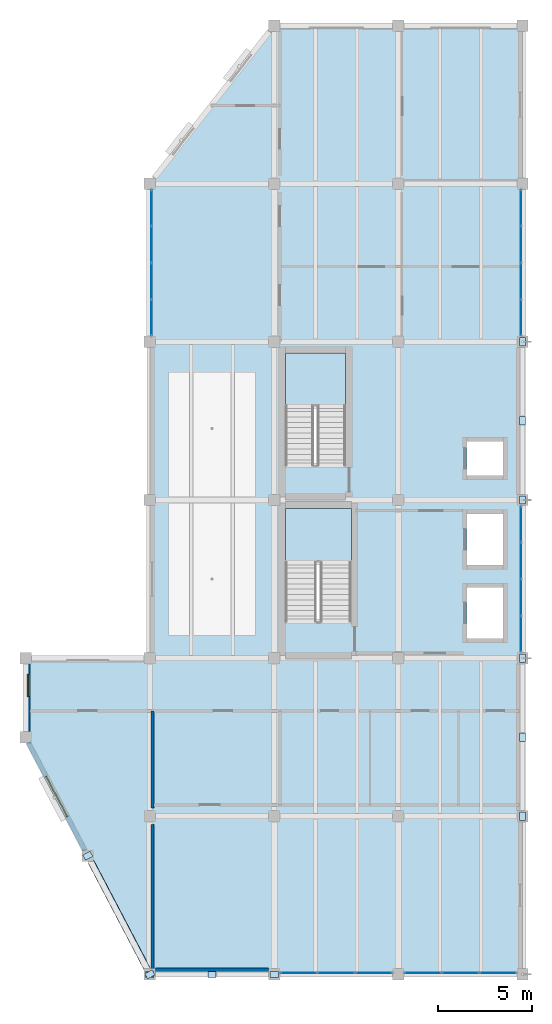
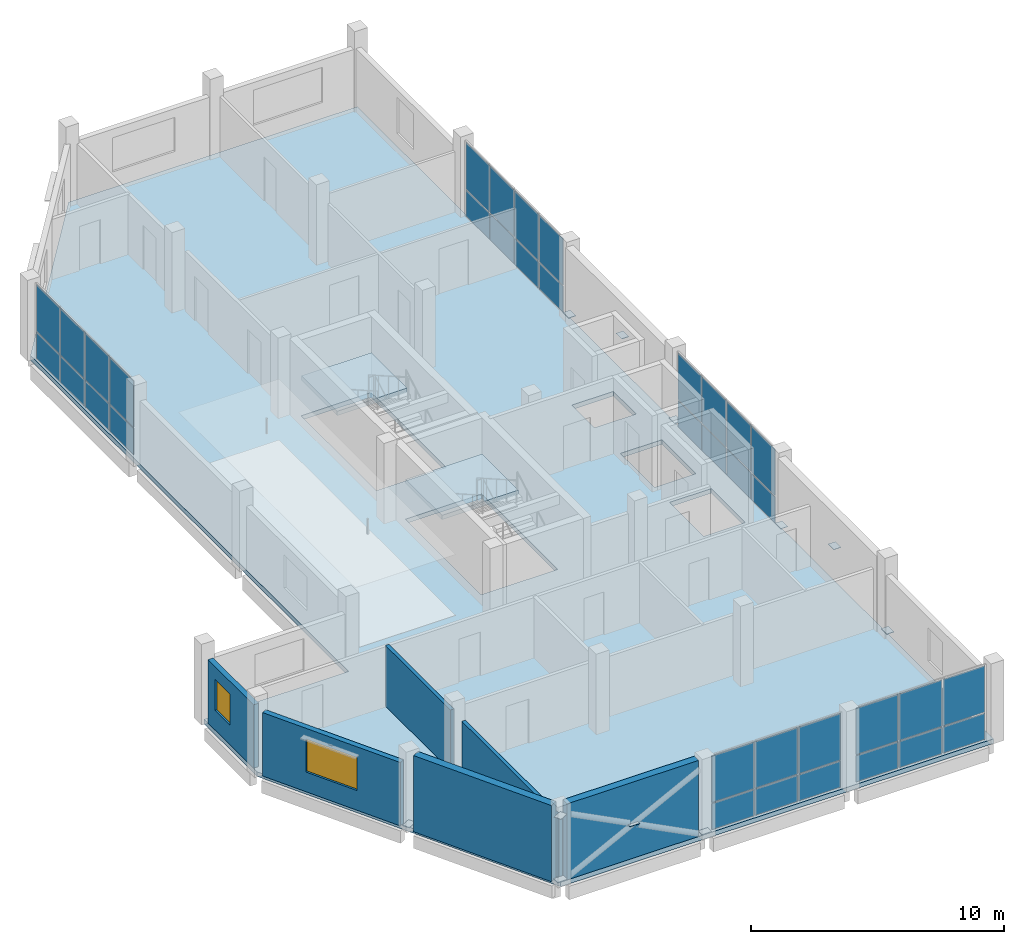
# One storey, part 5 of 12: 47 plates, 6 walls, 3 slabs, 2 windows, 2 openings, 7 elements without a shape of their own.
"""IFC4 building model written with IfcOpenShell, lengths in metres."""

from ifc_helpers import new_model, si_unit, direction, frame, frame_2d, origin, origin_2d, place, context, subcontext, project, spatial, polyline, rectangle, outline, extrude, material, layer, layer_set, type_object, element, fill, aggregate, save


model = new_model("IFC4")

# Units and contexts
model_context = context("Model", 3, precision=1e-05, world=origin(), true_north=direction((0.0, 1.0)))
body_context = subcontext(model_context, "Body", "Model", "MODEL_VIEW")
ifc_project = project(units=[si_unit("LENGTHUNIT", "METRE"), si_unit("AREAUNIT", "SQUARE_METRE"), si_unit("VOLUMEUNIT", "CUBIC_METRE"), si_unit("PLANEANGLEUNIT", "RADIAN"), si_unit("MASSUNIT", "GRAM", prefix="KILO")], contexts=[model_context])

# Site, building, storey
site_placement = place(None, origin())
site = spatial("IfcSite", under=ifc_project, at=site_placement, CompositionType="ELEMENT")
building_placement = place(site_placement, origin())
building = spatial("IfcBuilding", under=site, at=building_placement, Name="Qaldarim Faculty of Natural and Applied Sciences", CompositionType="ELEMENT")
storey_placement = place(building_placement, frame((0.0, 0.0, 35.39990234375)))
storey = spatial("IfcBuildingStorey", under=building, at=storey_placement, Name="L08", CompositionType="ELEMENT", Elevation=35.39990234375)

# Plates
ifc_material_1 = material(Name="Structural steel S355", Category="steel")
ifc_layer_1 = layer(ifc_material_1, 0.02001953125)
ifc_layer_set_1 = layer_set([ifc_layer_1], Name="Structural steel S355")
plate_type_1 = type_object("IfcPlateType", Name="GussetPlate-S355-450x320x20", PredefinedType="SHEET", material=ifc_layer_set_1)
for number, where, z_axis, x_axis, name in (
    (1, (161.699951171875, 0.0, 1.68017578125), (0.0, 0.0, 1.0), (1.0, 0.0, 0.0), "South diagrid L08 X-crossing gusset plate"),
    (2, (158.39990234375, 0.0, 0.14013671875), (0.0, 0.0, 1.0), (1.0, 0.0, 0.0), "South diagrid L08 base gusset BL"),
    (3, (165.0, 0.0, 0.14013671875), (0.0, 0.0, 1.0), (1.0, 0.0, 0.0), "South diagrid L08 base gusset BR"),
    (4, (178.199951171875, 12.60009765625, 1.68017578125), (0.0, 0.0, 1.0), (0.0, 1.0, 0.0), "East diagrid L08 X-crossing gusset plate"),
    (5, (178.199951171875, 8.39990234375, 0.14013671875), (0.0, 0.0, 1.0), (0.0, 1.0, 0.0), "East diagrid L08 base gusset BL"),
    (6, (178.199951171875, 16.800048828125, 0.14013671875), (0.0, 0.0, 1.0), (0.0, 1.0, 0.0), "East diagrid L08 base gusset BR"),
    (7, (178.199951171875, 29.39990234375, 1.68017578125), (0.0, 0.0, 1.0), (0.0, 1.0, 0.0), "Upper east diagrid L08 X-crossing gusset plate"),
    (8, (178.199951171875, 25.199951171875, 0.14013671875), (0.0, 0.0, 1.0), (0.0, 1.0, 0.0), "Upper east diagrid L08 base gusset BL"),
    (9, (178.199951171875, 33.60009765625, 0.14013671875), (0.0, 0.0, 1.0), (0.0, 1.0, 0.0), "Upper east diagrid L08 base gusset BR"),
    (10, (155.10009765625, 6.300048828125, 0.150146484375), (0.0, 0.0, 1.0), (0.882947592859, 0.469471562786, 0.0), "Oblique SW brace base plate L08 2"),
    (11, (158.39990234375, 0.0, 3.210205078125), (0.0, 0.0, 1.0), (0.882947592859, 0.469471562786, 0.0), "Oblique SW brace head plate L08 2"),
):
    element("IfcPlate", number, at=place(storey_placement, frame(where, z_axis=z_axis, x_axis=x_axis)), inside=storey, type_object=plate_type_1, Name=name, PredefinedType="SHEET", context=body_context, shape_type="SweptSolid", body=[
        extrude(rectangle(XDim=0.449951171875, YDim=0.320068359375, at=origin_2d()), origin(), (0.0, 0.0, 1.0), 0.02001953125),
    ])

# Slab
ifc_material_2 = material(Name="Concrete C40/50", Category="concrete")
ifc_layer_2 = layer(ifc_material_2, 0.219970703125)
ifc_layer_set_2 = layer_set([ifc_layer_2], Name="Concrete C40/50")
slab_type_1 = type_object("IfcSlabType", Name="ResearchWingSlab-220", PredefinedType="FLOOR", material=ifc_layer_set_2)
slab_1_placement = place(storey_placement, frame((0.0, 0.0, -0.219970703125)))
element("IfcSlab", 12, at=slab_1_placement, inside=storey, type_object=slab_type_1, Name="Floor slab L08 V5", PredefinedType="FLOOR", context=body_context, shape_type="SweptSolid", body=[
    extrude(outline(polyline([(158.39990234375, 0.0), (178.199951171875, 0.0), (178.199951171875, 50.39990234375), (165.0, 50.39990234375), (158.39990234375, 42.0), (158.39990234375, 16.800048828125), (151.800048828125, 16.800048828125), (151.800048828125, 12.60009765625), (158.39990234375, 0.0)]), holes=[polyline([(169.10009765625, 18.764892578125), (169.10009765625, 24.77490234375), (165.60009765625, 24.77490234375), (165.60009765625, 18.764892578125), (169.10009765625, 18.764892578125)]), polyline([(168.800048828125, 27.06494140625), (168.800048828125, 33.02490234375), (165.60009765625, 33.02490234375), (165.60009765625, 27.06494140625), (168.800048828125, 27.06494140625)]), polyline([(175.25, 17.85009765625), (177.14990234375, 17.85009765625), (177.14990234375, 20.550048828125), (175.25, 20.550048828125), (175.25, 17.85009765625)]), polyline([(175.25, 21.75), (177.14990234375, 21.75), (177.14990234375, 24.449951171875), (175.25, 24.449951171875), (175.25, 21.75)]), polyline([(175.25, 26.5), (177.14990234375, 26.5), (177.14990234375, 28.300048828125), (175.25, 28.300048828125), (175.25, 26.5)])]), origin(), (0.0, 0.0, 1.0), 0.219970703125),
])

# Stair, slab
stair_type_1 = type_object("IfcStairType", Name="DoglegStair-W1650-H3900-24R", PredefinedType="HALF_TURN_STAIR", material=ifc_material_2)
stair_1_placement = place(storey_placement, origin())
stair_1 = element("IfcStair", 13, at=stair_1_placement, inside=storey, type_object=stair_type_1, Name="Enclosed exit stair ST-A1 L08", PredefinedType="HALF_TURN_STAIR")
ifc_layer_3 = layer(ifc_material_2, 0.2099609375)
ifc_layer_set_3 = layer_set([ifc_layer_3], Name="Concrete C40/50")
slab_type_2 = type_object("IfcSlabType", Name="StairLandingSlab-210", PredefinedType="LANDING", material=ifc_layer_set_3)
slab_2_placement = place(storey_placement, frame((0.0, 0.0, 1.739990234375)))
slab_2 = element("IfcSlab", 14, at=slab_2_placement, type_object=slab_type_2, Name="ST-A1 L08 half-landing 1", PredefinedType="LANDING", context=body_context, shape_type="SweptSolid", body=[
    extrude(outline(polyline([(169.10009765625, 21.8701171875), (169.10009765625, 24.75), (165.60009765625, 24.75), (165.60009765625, 21.8701171875), (169.10009765625, 21.8701171875)])), origin(), (0.0, 0.0, 1.0), 0.210205078125),
])
aggregate(stair_1, [slab_2])

stair_type_2 = type_object("IfcStairType", Name="DoglegStair-W1500-H3900-24R", PredefinedType="HALF_TURN_STAIR", material=ifc_material_2)
stair_2_placement = place(storey_placement, origin())
stair_2 = element("IfcStair", 15, at=stair_2_placement, inside=storey, type_object=stair_type_2, Name="Enclosed exit stair ST-A2 L08", PredefinedType="HALF_TURN_STAIR")
slab_3_placement = place(storey_placement, frame((0.0, 0.0, 1.739990234375)))
slab_3 = element("IfcSlab", 16, at=slab_3_placement, type_object=slab_type_2, Name="ST-A2 L08 half-landing 1", PredefinedType="LANDING", context=body_context, shape_type="SweptSolid", body=[
    extrude(outline(polyline([(168.800048828125, 30.169921875), (168.800048828125, 33.0), (165.60009765625, 33.0), (165.60009765625, 30.169921875), (168.800048828125, 30.169921875)])), origin(), (0.0, 0.0, 1.0), 0.210205078125),
])
aggregate(stair_2, [slab_3])

# Curtain wall, plates
ifc_material_3 = material(Name="Anodised aluminium AW-6063", Category="aluminium")
curtain_wall_type = type_object("IfcCurtainWallType", Name="CurtainWallSystem-M1800", PredefinedType="USERDEFINED", material=ifc_material_3)
curtain_wall_1_placement = place(storey_placement, origin())
curtain_wall_1 = element("IfcCurtainWall", 17, at=curtain_wall_1_placement, inside=storey, type_object=curtain_wall_type, Name="Curtain wall CW-L08-W-X25Y05", ObjectType="UNITISED FACADE", PredefinedType="USERDEFINED")
ifc_material_4 = material(Name="Insulated low-e double glazing", Category="glass")
ifc_layer_4 = layer(ifc_material_4, 0.028076171875)
ifc_layer_set_4 = layer_set([ifc_layer_4], Name="Insulated low-e double glazing")
plate_type_2 = type_object("IfcPlateType", Name="VisionGlazingPanel-28", PredefinedType="CURTAIN_PANEL", material=ifc_layer_set_4)
plate_1_placement = place(storey_placement, frame((158.47998046875, 40.713623046875, 0.06005859375), z_axis=(0.0, 0.0, 1.0), x_axis=(0.0, -1.0, 0.0)))
plate_1 = element("IfcPlate", 18, at=plate_1_placement, type_object=plate_type_2, Name="Glazed panel 1-1 of CW-L08-W-X25Y05", PredefinedType="CURTAIN_PANEL", context=body_context, shape_type="SweptSolid", body=[
    extrude(rectangle(XDim=1.862548828125, YDim=0.028076171875, at=origin_2d()), origin(), (0.0, 0.0, 1.0), 1.260009765625),
])
plate_2_placement = place(storey_placement, frame((158.47998046875, 40.713623046875, 1.3798828125), z_axis=(0.0, 0.0, 1.0), x_axis=(0.0, -1.0, 0.0)))
plate_2 = element("IfcPlate", 19, at=plate_2_placement, type_object=plate_type_2, Name="Glazed panel 1-2 of CW-L08-W-X25Y05", PredefinedType="CURTAIN_PANEL", context=body_context, shape_type="SweptSolid", body=[
    extrude(rectangle(XDim=1.862548828125, YDim=0.028076171875, at=origin_2d()), origin(), (0.0, 0.0, 1.0), 2.239990234375),
])
plate_3_placement = place(storey_placement, frame((158.47998046875, 38.776123046875, 0.06005859375), z_axis=(0.0, 0.0, 1.0), x_axis=(0.0, -1.0, 0.0)))
plate_3 = element("IfcPlate", 20, at=plate_3_placement, type_object=plate_type_2, Name="Glazed panel 2-1 of CW-L08-W-X25Y05", PredefinedType="CURTAIN_PANEL", context=body_context, shape_type="SweptSolid", body=[
    extrude(rectangle(XDim=1.892578125, YDim=0.028076171875, at=origin_2d()), origin(), (0.0, 0.0, 1.0), 1.260009765625),
])
plate_4_placement = place(storey_placement, frame((158.47998046875, 38.776123046875, 1.3798828125), z_axis=(0.0, 0.0, 1.0), x_axis=(0.0, -1.0, 0.0)))
plate_4 = element("IfcPlate", 21, at=plate_4_placement, type_object=plate_type_2, Name="Glazed panel 2-2 of CW-L08-W-X25Y05", PredefinedType="CURTAIN_PANEL", context=body_context, shape_type="SweptSolid", body=[
    extrude(rectangle(XDim=1.892578125, YDim=0.028076171875, at=origin_2d()), origin(), (0.0, 0.0, 1.0), 2.239990234375),
])
plate_5_placement = place(storey_placement, frame((158.47998046875, 36.82373046875, 0.06005859375), z_axis=(0.0, 0.0, 1.0), x_axis=(0.0, -1.0, 0.0)))
plate_5 = element("IfcPlate", 22, at=plate_5_placement, type_object=plate_type_2, Name="Glazed panel 3-1 of CW-L08-W-X25Y05", PredefinedType="CURTAIN_PANEL", context=body_context, shape_type="SweptSolid", body=[
    extrude(rectangle(XDim=1.892578125, YDim=0.028076171875, at=origin_2d()), origin(), (0.0, 0.0, 1.0), 1.260009765625),
])
plate_6_placement = place(storey_placement, frame((158.47998046875, 36.82373046875, 1.3798828125), z_axis=(0.0, 0.0, 1.0), x_axis=(0.0, -1.0, 0.0)))
plate_6 = element("IfcPlate", 23, at=plate_6_placement, type_object=plate_type_2, Name="Glazed panel 3-2 of CW-L08-W-X25Y05", PredefinedType="CURTAIN_PANEL", context=body_context, shape_type="SweptSolid", body=[
    extrude(rectangle(XDim=1.892578125, YDim=0.028076171875, at=origin_2d()), origin(), (0.0, 0.0, 1.0), 2.239990234375),
])
plate_7_placement = place(storey_placement, frame((158.47998046875, 34.88623046875, 0.06005859375), z_axis=(0.0, 0.0, 1.0), x_axis=(0.0, -1.0, 0.0)))
plate_7 = element("IfcPlate", 24, at=plate_7_placement, type_object=plate_type_2, Name="Glazed panel 4-1 of CW-L08-W-X25Y05", PredefinedType="CURTAIN_PANEL", context=body_context, shape_type="SweptSolid", body=[
    extrude(rectangle(XDim=1.862548828125, YDim=0.028076171875, at=origin_2d()), origin(), (0.0, 0.0, 1.0), 1.260009765625),
])
plate_8_placement = place(storey_placement, frame((158.47998046875, 34.88623046875, 1.3798828125), z_axis=(0.0, 0.0, 1.0), x_axis=(0.0, -1.0, 0.0)))
plate_8 = element("IfcPlate", 25, at=plate_8_placement, type_object=plate_type_2, Name="Glazed panel 4-2 of CW-L08-W-X25Y05", PredefinedType="CURTAIN_PANEL", context=body_context, shape_type="SweptSolid", body=[
    extrude(rectangle(XDim=1.862548828125, YDim=0.028076171875, at=origin_2d()), origin(), (0.0, 0.0, 1.0), 2.239990234375),
])
aggregate(curtain_wall_1, [plate_1, plate_2, plate_3, plate_4, plate_5, plate_6, plate_7, plate_8])

curtain_wall_2_placement = place(storey_placement, origin())
curtain_wall_2 = element("IfcCurtainWall", 26, at=curtain_wall_2_placement, inside=storey, type_object=curtain_wall_type, Name="Curtain wall CW-L08-S-X26Y01", ObjectType="UNITISED FACADE", PredefinedType="USERDEFINED")
plate_9_placement = place(storey_placement, frame((166.311767578125, 0.080078125, 0.06005859375), z_axis=(0.0, 0.0, 1.0), x_axis=(1.0, 0.0, 0.0)))
plate_9 = element("IfcPlate", 27, at=plate_9_placement, type_object=plate_type_2, Name="Glazed panel 1-1 of CW-L08-S-X26Y01", PredefinedType="CURTAIN_PANEL", context=body_context, shape_type="SweptSolid", body=[
    extrude(rectangle(XDim=1.913330078125, YDim=0.028076171875, at=origin_2d()), origin(), (0.0, 0.0, 1.0), 1.260009765625),
])
plate_10_placement = place(storey_placement, frame((166.311767578125, 0.080078125, 1.3798828125), z_axis=(0.0, 0.0, 1.0), x_axis=(1.0, 0.0, 0.0)))
plate_10 = element("IfcPlate", 28, at=plate_10_placement, type_object=plate_type_2, Name="Glazed panel 1-2 of CW-L08-S-X26Y01", PredefinedType="CURTAIN_PANEL", context=body_context, shape_type="SweptSolid", body=[
    extrude(rectangle(XDim=1.913330078125, YDim=0.028076171875, at=origin_2d()), origin(), (0.0, 0.0, 1.0), 2.239990234375),
])
plate_11_placement = place(storey_placement, frame((168.300048828125, 0.080078125, 0.06005859375), z_axis=(0.0, 0.0, 1.0), x_axis=(1.0, 0.0, 0.0)))
plate_11 = element("IfcPlate", 29, at=plate_11_placement, type_object=plate_type_2, Name="Glazed panel 2-1 of CW-L08-S-X26Y01", PredefinedType="CURTAIN_PANEL", context=body_context, shape_type="SweptSolid", body=[
    extrude(rectangle(XDim=1.943359375, YDim=0.028076171875, at=origin_2d()), origin(), (0.0, 0.0, 1.0), 1.260009765625),
])
plate_12_placement = place(storey_placement, frame((168.300048828125, 0.080078125, 1.3798828125), z_axis=(0.0, 0.0, 1.0), x_axis=(1.0, 0.0, 0.0)))
plate_12 = element("IfcPlate", 30, at=plate_12_placement, type_object=plate_type_2, Name="Glazed panel 2-2 of CW-L08-S-X26Y01", PredefinedType="CURTAIN_PANEL", context=body_context, shape_type="SweptSolid", body=[
    extrude(rectangle(XDim=1.943359375, YDim=0.028076171875, at=origin_2d()), origin(), (0.0, 0.0, 1.0), 2.239990234375),
])
plate_13_placement = place(storey_placement, frame((170.288330078125, 0.080078125, 0.06005859375), z_axis=(0.0, 0.0, 1.0), x_axis=(1.0, 0.0, 0.0)))
plate_13 = element("IfcPlate", 31, at=plate_13_placement, type_object=plate_type_2, Name="Glazed panel 3-1 of CW-L08-S-X26Y01", PredefinedType="CURTAIN_PANEL", context=body_context, shape_type="SweptSolid", body=[
    extrude(rectangle(XDim=1.913330078125, YDim=0.028076171875, at=origin_2d()), origin(), (0.0, 0.0, 1.0), 1.260009765625),
])
plate_14_placement = place(storey_placement, frame((170.288330078125, 0.080078125, 1.3798828125), z_axis=(0.0, 0.0, 1.0), x_axis=(1.0, 0.0, 0.0)))
plate_14 = element("IfcPlate", 32, at=plate_14_placement, type_object=plate_type_2, Name="Glazed panel 3-2 of CW-L08-S-X26Y01", PredefinedType="CURTAIN_PANEL", context=body_context, shape_type="SweptSolid", body=[
    extrude(rectangle(XDim=1.913330078125, YDim=0.028076171875, at=origin_2d()), origin(), (0.0, 0.0, 1.0), 2.239990234375),
])
aggregate(curtain_wall_2, [plate_9, plate_10, plate_11, plate_12, plate_13, plate_14])

curtain_wall_3_placement = place(storey_placement, origin())
curtain_wall_3 = element("IfcCurtainWall", 33, at=curtain_wall_3_placement, inside=storey, type_object=curtain_wall_type, Name="Curtain wall CW-L08-S-X27Y01", ObjectType="UNITISED FACADE", PredefinedType="USERDEFINED")
plate_15_placement = place(storey_placement, frame((172.91162109375, 0.080078125, 0.06005859375), z_axis=(0.0, 0.0, 1.0), x_axis=(1.0, 0.0, 0.0)))
plate_15 = element("IfcPlate", 34, at=plate_15_placement, type_object=plate_type_2, Name="Glazed panel 1-1 of CW-L08-S-X27Y01", PredefinedType="CURTAIN_PANEL", context=body_context, shape_type="SweptSolid", body=[
    extrude(rectangle(XDim=1.913330078125, YDim=0.028076171875, at=origin_2d()), origin(), (0.0, 0.0, 1.0), 1.260009765625),
])
plate_16_placement = place(storey_placement, frame((172.91162109375, 0.080078125, 1.3798828125), z_axis=(0.0, 0.0, 1.0), x_axis=(1.0, 0.0, 0.0)))
plate_16 = element("IfcPlate", 35, at=plate_16_placement, type_object=plate_type_2, Name="Glazed panel 1-2 of CW-L08-S-X27Y01", PredefinedType="CURTAIN_PANEL", context=body_context, shape_type="SweptSolid", body=[
    extrude(rectangle(XDim=1.913330078125, YDim=0.028076171875, at=origin_2d()), origin(), (0.0, 0.0, 1.0), 2.239990234375),
])
plate_17_placement = place(storey_placement, frame((174.89990234375, 0.080078125, 0.06005859375), z_axis=(0.0, 0.0, 1.0), x_axis=(1.0, 0.0, 0.0)))
plate_17 = element("IfcPlate", 36, at=plate_17_placement, type_object=plate_type_2, Name="Glazed panel 2-1 of CW-L08-S-X27Y01", PredefinedType="CURTAIN_PANEL", context=body_context, shape_type="SweptSolid", body=[
    extrude(rectangle(XDim=1.943359375, YDim=0.028076171875, at=origin_2d()), origin(), (0.0, 0.0, 1.0), 1.260009765625),
])
plate_18_placement = place(storey_placement, frame((174.89990234375, 0.080078125, 1.3798828125), z_axis=(0.0, 0.0, 1.0), x_axis=(1.0, 0.0, 0.0)))
plate_18 = element("IfcPlate", 37, at=plate_18_placement, type_object=plate_type_2, Name="Glazed panel 2-2 of CW-L08-S-X27Y01", PredefinedType="CURTAIN_PANEL", context=body_context, shape_type="SweptSolid", body=[
    extrude(rectangle(XDim=1.943359375, YDim=0.028076171875, at=origin_2d()), origin(), (0.0, 0.0, 1.0), 2.239990234375),
])
plate_19_placement = place(storey_placement, frame((176.88818359375, 0.080078125, 0.06005859375), z_axis=(0.0, 0.0, 1.0), x_axis=(1.0, 0.0, 0.0)))
plate_19 = element("IfcPlate", 38, at=plate_19_placement, type_object=plate_type_2, Name="Glazed panel 3-1 of CW-L08-S-X27Y01", PredefinedType="CURTAIN_PANEL", context=body_context, shape_type="SweptSolid", body=[
    extrude(rectangle(XDim=1.913330078125, YDim=0.028076171875, at=origin_2d()), origin(), (0.0, 0.0, 1.0), 1.260009765625),
])
plate_20_placement = place(storey_placement, frame((176.88818359375, 0.080078125, 1.3798828125), z_axis=(0.0, 0.0, 1.0), x_axis=(1.0, 0.0, 0.0)))
plate_20 = element("IfcPlate", 39, at=plate_20_placement, type_object=plate_type_2, Name="Glazed panel 3-2 of CW-L08-S-X27Y01", PredefinedType="CURTAIN_PANEL", context=body_context, shape_type="SweptSolid", body=[
    extrude(rectangle(XDim=1.913330078125, YDim=0.028076171875, at=origin_2d()), origin(), (0.0, 0.0, 1.0), 2.239990234375),
])
aggregate(curtain_wall_3, [plate_15, plate_16, plate_17, plate_18, plate_19, plate_20])

curtain_wall_4_placement = place(storey_placement, origin())
curtain_wall_4 = element("IfcCurtainWall", 40, at=curtain_wall_4_placement, inside=storey, type_object=curtain_wall_type, Name="Curtain wall CW-L08-E-X27Y03", ObjectType="UNITISED FACADE", PredefinedType="USERDEFINED")
plate_21_placement = place(storey_placement, frame((178.1201171875, 18.086181640625, 0.06005859375), z_axis=(0.0, 0.0, 1.0), x_axis=(0.0, 1.0, 0.0)))
plate_21 = element("IfcPlate", 41, at=plate_21_placement, type_object=plate_type_2, Name="Glazed panel 1-1 of CW-L08-E-X27Y03", PredefinedType="CURTAIN_PANEL", context=body_context, shape_type="SweptSolid", body=[
    extrude(rectangle(XDim=1.862548828125, YDim=0.028076171875, at=origin_2d()), origin(), (0.0, 0.0, 1.0), 1.260009765625),
])
plate_22_placement = place(storey_placement, frame((178.1201171875, 18.086181640625, 1.3798828125), z_axis=(0.0, 0.0, 1.0), x_axis=(0.0, 1.0, 0.0)))
plate_22 = element("IfcPlate", 42, at=plate_22_placement, type_object=plate_type_2, Name="Glazed panel 1-2 of CW-L08-E-X27Y03", PredefinedType="CURTAIN_PANEL", context=body_context, shape_type="SweptSolid", body=[
    extrude(rectangle(XDim=1.862548828125, YDim=0.028076171875, at=origin_2d()), origin(), (0.0, 0.0, 1.0), 2.239990234375),
])
plate_23_placement = place(storey_placement, frame((178.1201171875, 20.023681640625, 0.06005859375), z_axis=(0.0, 0.0, 1.0), x_axis=(0.0, 1.0, 0.0)))
plate_23 = element("IfcPlate", 43, at=plate_23_placement, type_object=plate_type_2, Name="Glazed panel 2-1 of CW-L08-E-X27Y03", PredefinedType="CURTAIN_PANEL", context=body_context, shape_type="SweptSolid", body=[
    extrude(rectangle(XDim=1.892578125, YDim=0.028076171875, at=origin_2d()), origin(), (0.0, 0.0, 1.0), 1.260009765625),
])
plate_24_placement = place(storey_placement, frame((178.1201171875, 20.023681640625, 1.3798828125), z_axis=(0.0, 0.0, 1.0), x_axis=(0.0, 1.0, 0.0)))
plate_24 = element("IfcPlate", 44, at=plate_24_placement, type_object=plate_type_2, Name="Glazed panel 2-2 of CW-L08-E-X27Y03", PredefinedType="CURTAIN_PANEL", context=body_context, shape_type="SweptSolid", body=[
    extrude(rectangle(XDim=1.892578125, YDim=0.028076171875, at=origin_2d()), origin(), (0.0, 0.0, 1.0), 2.239990234375),
])
plate_25_placement = place(storey_placement, frame((178.1201171875, 21.976318359375, 0.06005859375), z_axis=(0.0, 0.0, 1.0), x_axis=(0.0, 1.0, 0.0)))
plate_25 = element("IfcPlate", 45, at=plate_25_placement, type_object=plate_type_2, Name="Glazed panel 3-1 of CW-L08-E-X27Y03", PredefinedType="CURTAIN_PANEL", context=body_context, shape_type="SweptSolid", body=[
    extrude(rectangle(XDim=1.892578125, YDim=0.028076171875, at=origin_2d()), origin(), (0.0, 0.0, 1.0), 1.260009765625),
])
plate_26_placement = place(storey_placement, frame((178.1201171875, 21.976318359375, 1.3798828125), z_axis=(0.0, 0.0, 1.0), x_axis=(0.0, 1.0, 0.0)))
plate_26 = element("IfcPlate", 46, at=plate_26_placement, type_object=plate_type_2, Name="Glazed panel 3-2 of CW-L08-E-X27Y03", PredefinedType="CURTAIN_PANEL", context=body_context, shape_type="SweptSolid", body=[
    extrude(rectangle(XDim=1.892578125, YDim=0.028076171875, at=origin_2d()), origin(), (0.0, 0.0, 1.0), 2.239990234375),
])
plate_27_placement = place(storey_placement, frame((178.1201171875, 23.913818359375, 0.06005859375), z_axis=(0.0, 0.0, 1.0), x_axis=(0.0, 1.0, 0.0)))
plate_27 = element("IfcPlate", 47, at=plate_27_placement, type_object=plate_type_2, Name="Glazed panel 4-1 of CW-L08-E-X27Y03", PredefinedType="CURTAIN_PANEL", context=body_context, shape_type="SweptSolid", body=[
    extrude(rectangle(XDim=1.862548828125, YDim=0.028076171875, at=origin_2d()), origin(), (0.0, 0.0, 1.0), 1.260009765625),
])
plate_28_placement = place(storey_placement, frame((178.1201171875, 23.913818359375, 1.3798828125), z_axis=(0.0, 0.0, 1.0), x_axis=(0.0, 1.0, 0.0)))
plate_28 = element("IfcPlate", 48, at=plate_28_placement, type_object=plate_type_2, Name="Glazed panel 4-2 of CW-L08-E-X27Y03", PredefinedType="CURTAIN_PANEL", context=body_context, shape_type="SweptSolid", body=[
    extrude(rectangle(XDim=1.862548828125, YDim=0.028076171875, at=origin_2d()), origin(), (0.0, 0.0, 1.0), 2.239990234375),
])
aggregate(curtain_wall_4, [plate_21, plate_22, plate_23, plate_24, plate_25, plate_26, plate_27, plate_28])

curtain_wall_5_placement = place(storey_placement, origin())
curtain_wall_5 = element("IfcCurtainWall", 49, at=curtain_wall_5_placement, inside=storey, type_object=curtain_wall_type, Name="Curtain wall CW-L08-E-X27Y05", ObjectType="UNITISED FACADE", PredefinedType="USERDEFINED")
plate_29_placement = place(storey_placement, frame((178.1201171875, 34.88623046875, 0.06005859375), z_axis=(0.0, 0.0, 1.0), x_axis=(0.0, 1.0, 0.0)))
plate_29 = element("IfcPlate", 50, at=plate_29_placement, type_object=plate_type_2, Name="Glazed panel 1-1 of CW-L08-E-X27Y05", PredefinedType="CURTAIN_PANEL", context=body_context, shape_type="SweptSolid", body=[
    extrude(rectangle(XDim=1.862548828125, YDim=0.028076171875, at=origin_2d()), origin(), (0.0, 0.0, 1.0), 1.260009765625),
])
plate_30_placement = place(storey_placement, frame((178.1201171875, 34.88623046875, 1.3798828125), z_axis=(0.0, 0.0, 1.0), x_axis=(0.0, 1.0, 0.0)))
plate_30 = element("IfcPlate", 51, at=plate_30_placement, type_object=plate_type_2, Name="Glazed panel 1-2 of CW-L08-E-X27Y05", PredefinedType="CURTAIN_PANEL", context=body_context, shape_type="SweptSolid", body=[
    extrude(rectangle(XDim=1.862548828125, YDim=0.028076171875, at=origin_2d()), origin(), (0.0, 0.0, 1.0), 2.239990234375),
])
plate_31_placement = place(storey_placement, frame((178.1201171875, 36.82373046875, 0.06005859375), z_axis=(0.0, 0.0, 1.0), x_axis=(0.0, 1.0, 0.0)))
plate_31 = element("IfcPlate", 52, at=plate_31_placement, type_object=plate_type_2, Name="Glazed panel 2-1 of CW-L08-E-X27Y05", PredefinedType="CURTAIN_PANEL", context=body_context, shape_type="SweptSolid", body=[
    extrude(rectangle(XDim=1.892578125, YDim=0.028076171875, at=origin_2d()), origin(), (0.0, 0.0, 1.0), 1.260009765625),
])
plate_32_placement = place(storey_placement, frame((178.1201171875, 36.82373046875, 1.3798828125), z_axis=(0.0, 0.0, 1.0), x_axis=(0.0, 1.0, 0.0)))
plate_32 = element("IfcPlate", 53, at=plate_32_placement, type_object=plate_type_2, Name="Glazed panel 2-2 of CW-L08-E-X27Y05", PredefinedType="CURTAIN_PANEL", context=body_context, shape_type="SweptSolid", body=[
    extrude(rectangle(XDim=1.892578125, YDim=0.028076171875, at=origin_2d()), origin(), (0.0, 0.0, 1.0), 2.239990234375),
])
plate_33_placement = place(storey_placement, frame((178.1201171875, 38.776123046875, 0.06005859375), z_axis=(0.0, 0.0, 1.0), x_axis=(0.0, 1.0, 0.0)))
plate_33 = element("IfcPlate", 54, at=plate_33_placement, type_object=plate_type_2, Name="Glazed panel 3-1 of CW-L08-E-X27Y05", PredefinedType="CURTAIN_PANEL", context=body_context, shape_type="SweptSolid", body=[
    extrude(rectangle(XDim=1.892578125, YDim=0.028076171875, at=origin_2d()), origin(), (0.0, 0.0, 1.0), 1.260009765625),
])
plate_34_placement = place(storey_placement, frame((178.1201171875, 38.776123046875, 1.3798828125), z_axis=(0.0, 0.0, 1.0), x_axis=(0.0, 1.0, 0.0)))
plate_34 = element("IfcPlate", 55, at=plate_34_placement, type_object=plate_type_2, Name="Glazed panel 3-2 of CW-L08-E-X27Y05", PredefinedType="CURTAIN_PANEL", context=body_context, shape_type="SweptSolid", body=[
    extrude(rectangle(XDim=1.892578125, YDim=0.028076171875, at=origin_2d()), origin(), (0.0, 0.0, 1.0), 2.239990234375),
])
plate_35_placement = place(storey_placement, frame((178.1201171875, 40.713623046875, 0.06005859375), z_axis=(0.0, 0.0, 1.0), x_axis=(0.0, 1.0, 0.0)))
plate_35 = element("IfcPlate", 56, at=plate_35_placement, type_object=plate_type_2, Name="Glazed panel 4-1 of CW-L08-E-X27Y05", PredefinedType="CURTAIN_PANEL", context=body_context, shape_type="SweptSolid", body=[
    extrude(rectangle(XDim=1.862548828125, YDim=0.028076171875, at=origin_2d()), origin(), (0.0, 0.0, 1.0), 1.260009765625),
])
plate_36_placement = place(storey_placement, frame((178.1201171875, 40.713623046875, 1.3798828125), z_axis=(0.0, 0.0, 1.0), x_axis=(0.0, 1.0, 0.0)))
plate_36 = element("IfcPlate", 57, at=plate_36_placement, type_object=plate_type_2, Name="Glazed panel 4-2 of CW-L08-E-X27Y05", PredefinedType="CURTAIN_PANEL", context=body_context, shape_type="SweptSolid", body=[
    extrude(rectangle(XDim=1.862548828125, YDim=0.028076171875, at=origin_2d()), origin(), (0.0, 0.0, 1.0), 2.239990234375),
])
aggregate(curtain_wall_5, [plate_29, plate_30, plate_31, plate_32, plate_33, plate_34, plate_35, plate_36])

# Wall, opening, window
ifc_material_5 = material(Name="Precast concrete C40/50", Category="concrete")
ifc_layer_5 = layer(ifc_material_5, 0.239990234375)
ifc_layer_set_5 = layer_set([ifc_layer_5], Name="Precast concrete C40/50")
wall_type_1 = type_object("IfcWallType", Name="ExteriorInsulatedWall-240", PredefinedType="SOLIDWALL", material=ifc_layer_set_5)
wall_1_placement = place(storey_placement, frame((151.919921875, 16.5048828125, 0.0), z_axis=(0.0, 0.0, 1.0), x_axis=(0.0, -1.0, 0.0)))
wall_1 = element("IfcWall", 58, at=wall_1_placement, inside=storey, type_object=wall_type_1, Name="Oblique SW chamfer return facade wall L08", PredefinedType="SOLIDWALL", context=body_context, shape_type="SweptSolid", body=[
    extrude(rectangle(XDim=3.60986328125, YDim=0.239990234375, at=frame_2d((1.804931640625, 0.0))), origin(), (0.0, 0.0, 1.0), 3.065185546875),
])
opening_1_placement = place(wall_1_placement, frame((0.550048828125, 0.0, 0.949951171875)))
opening_1 = element("IfcOpeningElement", 59, at=opening_1_placement, cuts=wall_1, Name="Opening WN01", PredefinedType="OPENING", context=body_context, shape_type="SweptSolid", body=[
    extrude(rectangle(XDim=1.199951171875, YDim=1.5, at=frame_2d((0.60009765625, 0.75))), frame((0.0, 0.1298828125, 0.0), z_axis=(0.0, -1.0, 0.0), x_axis=(1.0, 0.0, 0.0)), (0.0, 0.0, 1.0), 0.260009765625),
])
window_type_1 = type_object("IfcWindowType", Name="Window-1200x1500", PartitioningType="SINGLE_PANEL", PredefinedType="WINDOW", material=ifc_material_4)
window_1_placement = place(opening_1_placement, origin())
window_1 = element("IfcWindow", 60, at=window_1_placement, inside=storey, type_object=window_type_1, Name="Oblique SW return window L08", OverallHeight=1.5, OverallWidth=1.199951171875, PartitioningType="SINGLE_PANEL", PredefinedType="WINDOW", context=body_context, shape_type="SweptSolid", body=[
    extrude(rectangle(XDim=1.199951171875, YDim=1.5, at=frame_2d((0.60009765625, 0.75))), frame((0.0, 0.030029296875, 0.0), z_axis=(0.0, -1.0, 0.0), x_axis=(1.0, 0.0, 0.0)), (0.0, 0.0, 1.0), 0.06005859375),
])
fill(opening_1, window_1)

wall_2_placement = place(storey_placement, frame((151.949951171875, 12.31005859375, 0.0), z_axis=(0.0, 0.0, 1.0), x_axis=(0.464471613901, -0.885588007981, 0.0)))
wall_2 = element("IfcWall", 61, at=wall_2_placement, inside=storey, type_object=wall_type_1, Name="Oblique SW chamfer fenestrated wall L08 1", PredefinedType="SOLIDWALL", context=body_context, shape_type="SweptSolid", body=[
    extrude(rectangle(XDim=6.458984375, YDim=0.239990234375, at=frame_2d((3.2294921875, 0.0))), origin(), (0.0, 0.0, 1.0), 3.065185546875),
])
opening_2_placement = place(wall_2_placement, frame((2.030029296875, 0.0, 0.949951171875)))
opening_2 = element("IfcOpeningElement", 62, at=opening_2_placement, cuts=wall_2, Name="Opening WN03", PredefinedType="OPENING", context=body_context, shape_type="SweptSolid", body=[
    extrude(rectangle(XDim=2.39990234375, YDim=1.60009765625, at=frame_2d((1.199951171875, 0.800048828125))), frame((0.0, 0.1298828125, 0.0), z_axis=(0.0, -1.0, 0.0), x_axis=(1.0, 0.0, 0.0)), (0.0, 0.0, 1.0), 0.260009765625),
])
window_type_2 = type_object("IfcWindowType", Name="Window-2400x1600", PartitioningType="TRIPLE_PANEL_VERTICAL", PredefinedType="WINDOW", material=ifc_material_4)
window_2_placement = place(opening_2_placement, origin())
window_2 = element("IfcWindow", 63, at=window_2_placement, inside=storey, type_object=window_type_2, Name="Oblique SW chamfer window L08 1", OverallHeight=1.60009765625, OverallWidth=2.39990234375, PartitioningType="SINGLE_PANEL", PredefinedType="WINDOW", context=body_context, shape_type="SweptSolid", body=[
    extrude(rectangle(XDim=2.39990234375, YDim=1.60009765625, at=frame_2d((1.199951171875, 0.800048828125))), frame((0.0, 0.030029296875, 0.0), z_axis=(0.0, -1.0, 0.0), x_axis=(1.0, 0.0, 0.0)), (0.0, 0.0, 1.0), 0.06005859375),
])
fill(opening_2, window_2)

# Walls
ifc_material_6 = material(Name="Concrete C50/60", Category="concrete")
ifc_layer_6 = layer(ifc_material_6, 0.340087890625)
ifc_layer_set_6 = layer_set([ifc_layer_6], Name="Concrete C50/60")
wall_type_2 = type_object("IfcWallType", Name="ExteriorStairShearWall-340", PredefinedType="SHEAR", material=ifc_layer_set_6)
wall_3_placement = place(storey_placement, frame((158.695068359375, 0.169921875, 0.0), z_axis=(0.0, 0.0, 1.0), x_axis=(1.0, 0.0, 0.0)))
element("IfcWall", 64, at=wall_3_placement, inside=storey, type_object=wall_type_2, Name="Exterior wall EW05 L08 S X25Y01", PredefinedType="SHEAR", context=body_context, shape_type="SweptSolid", body=[
    extrude(rectangle(XDim=6.010009765625, YDim=0.340087890625, at=frame_2d((3.0048828125, 0.0))), origin(), (0.0, 0.0, 1.0), 3.68017578125),
])
wall_4_placement = place(storey_placement, frame((155.25, 6.010009765625, 0.0), z_axis=(0.0, 0.0, 1.0), x_axis=(0.464471613901, -0.885588007981, 0.0)))
element("IfcWall", 65, at=wall_4_placement, inside=storey, type_object=wall_type_2, Name="Oblique SW chamfer braced wall L08 2", PredefinedType="SHEAR", context=body_context, shape_type="SweptSolid", body=[
    extrude(rectangle(XDim=6.458984375, YDim=0.340087890625, at=frame_2d((3.2294921875, 0.0))), origin(), (0.0, 0.0, 1.0), 3.68017578125),
])
ifc_layer_7 = layer(ifc_material_2, 0.159912109375)
ifc_layer_set_7 = layer_set([ifc_layer_7], Name="Concrete C40/50")
wall_type_3 = type_object("IfcWallType", Name="FireCorridorWall-160", PredefinedType="PARTITIONING", material=ifc_layer_set_7)
wall_5_placement = place(storey_placement, frame((158.550048828125, 0.25, 0.0), z_axis=(0.0, 0.0, 1.0), x_axis=(0.0, 1.0, 0.0)))
element("IfcWall", 66, at=wall_5_placement, inside=storey, type_object=wall_type_3, Name="Interior partition PRT-L08-V5-SWSE-S1", PredefinedType="PARTITIONING", context=body_context, shape_type="SweptSolid", body=[
    extrude(rectangle(XDim=7.699951171875, YDim=0.159912109375, at=frame_2d((3.85009765625, 0.0))), origin(), (0.0, 0.0, 1.0), 2.93017578125),
])
wall_6_placement = place(storey_placement, frame((158.550048828125, 8.85009765625, 0.0), z_axis=(0.0, 0.0, 1.0), x_axis=(0.0, 1.0, 0.0)))
element("IfcWall", 67, at=wall_6_placement, inside=storey, type_object=wall_type_3, Name="Interior partition PRT-L08-V5-SWSE-S2", PredefinedType="PARTITIONING", context=body_context, shape_type="SweptSolid", body=[
    extrude(rectangle(XDim=5.14990234375, YDim=0.159912109375, at=frame_2d((2.574951171875, 0.0))), origin(), (0.0, 0.0, 1.0), 2.93017578125),
])

save(model, "model.ifc")
